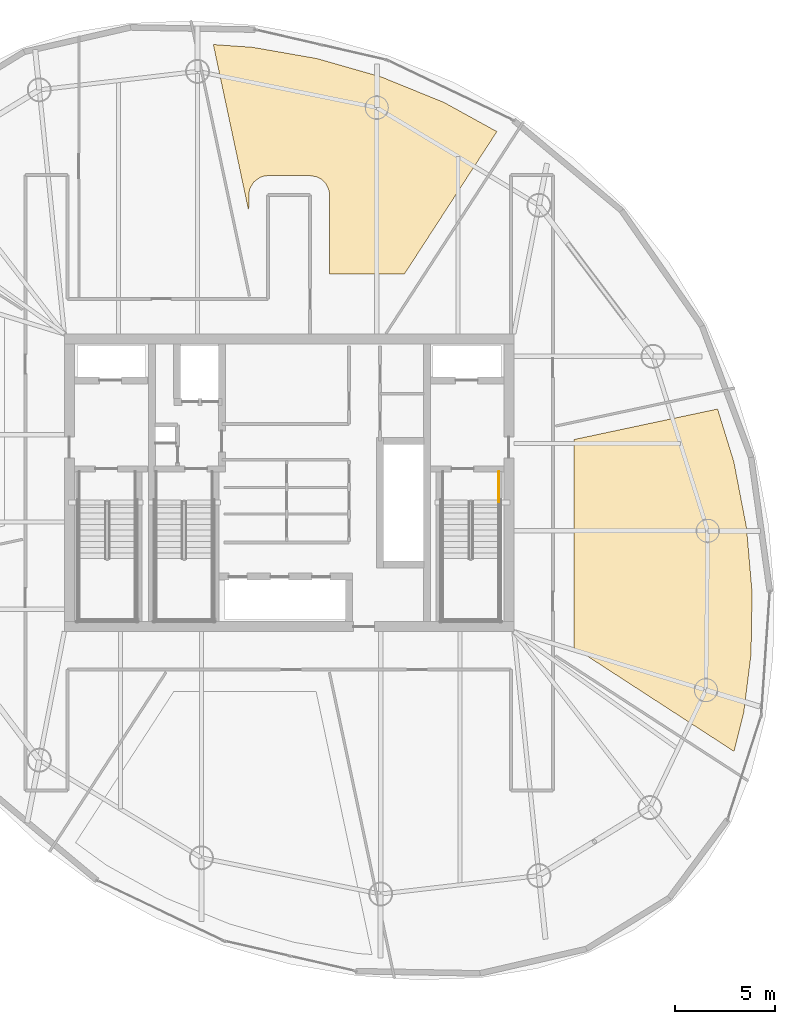
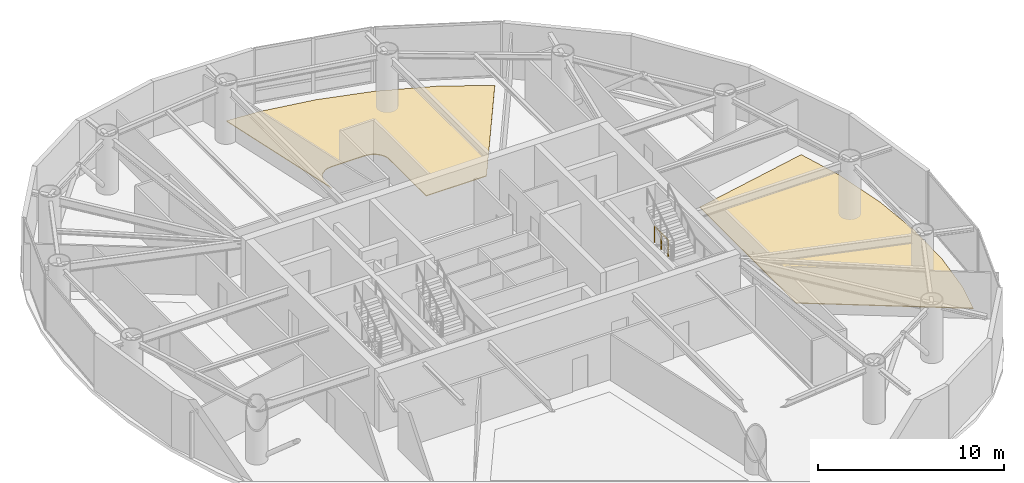
# One storey, part 22 of 22: 2 coverings, 1 railing.
"""IFC4 building model written with IfcOpenShell, lengths in metres."""

from ifc_helpers import new_model, si_unit, direction, frame, origin, origin_2d, place, context, subcontext, project, spatial, polyline, circle, outline, extrude, material, layer, layer_set, type_object, element, save


model = new_model("IFC4")

# Units and contexts
model_context = context("Model", 3, precision=1e-05, world=origin(), true_north=direction((0.0, 1.0)))
body_context = subcontext(model_context, "Body", "Model", "MODEL_VIEW")
ifc_project = project(units=[si_unit("LENGTHUNIT", "METRE"), si_unit("AREAUNIT", "SQUARE_METRE"), si_unit("VOLUMEUNIT", "CUBIC_METRE"), si_unit("PLANEANGLEUNIT", "RADIAN"), si_unit("MASSUNIT", "GRAM", prefix="KILO")], contexts=[model_context])

# Site, building, storey
site_placement = place(None, origin())
site = spatial("IfcSite", under=ifc_project, at=site_placement, CompositionType="ELEMENT")
building_placement = place(site_placement, origin())
building = spatial("IfcBuilding", under=site, at=building_placement, Name="Bramvorn Convention Spire", CompositionType="ELEMENT")
storey_placement = place(building_placement, frame((0.0, 0.0, 221.25)))
storey = spatial("IfcBuildingStorey", under=building, at=storey_placement, Name="L56", CompositionType="ELEMENT", Elevation=221.25)

# Coverings
ifc_material_1 = material(Name="Calcium-Sulphate Raised Access Office Floor", Category="steel")
ifc_layer = layer(ifc_material_1, 0.044921875)
ifc_layer_set = layer_set([ifc_layer], Name="Calcium-Sulphate Raised Access Office Floor - FLR-RAISED-45")
covering_type = type_object("IfcCoveringType", Name="FLR-RAISED-45", PredefinedType="FLOORING", material=ifc_layer_set)
covering_1_placement = place(storey_placement, origin())
element("IfcCovering", 1, at=covering_1_placement, inside=storey, type_object=covering_type, Name="L56 Partner Office Chamber 2 2 raised floor finish", PredefinedType="FLOORING", context=body_context, shape_type="SweptSolid", body=[
    extrude(outline(polyline([(35.98095703125, 40.441650390625), (36.034912109375, 40.72119140625), (36.227294921875, 41.047119140625), (36.530029296875, 41.274169921875), (36.72021484375, 41.34228515625), (36.949951171875, 41.3701171875), (39.050048828125, 41.3701171875), (39.38232421875, 41.311279296875), (39.623046875, 41.1826171875), (39.825439453125, 40.982421875), (39.961181640625, 40.732421875), (40.01025390625, 40.53662109375), (40.02001953125, 36.449951171875), (43.772705078125, 36.449951171875), (48.39990234375, 43.574951171875), (45.757568359375, 45.031494140625), (42.607666015625, 46.31396484375), (39.3857421875, 47.231201171875), (36.1806640625, 47.793212890625), (34.20703125, 47.932861328125), (35.97998046875, 39.591552734375), (35.98095703125, 40.441650390625)])), origin(), (0.0, 0.0, 1.0), 0.044921875),
])
covering_2_placement = place(storey_placement, origin())
element("IfcCovering", 2, at=covering_2_placement, inside=storey, type_object=covering_type, Name="L56 Deposition Meeting Room 2 8 raised floor finish", PredefinedType="FLOORING", context=body_context, shape_type="SweptSolid", body=[
    extrude(outline(polyline([(52.25, 28.159912109375), (52.25, 17.759521484375), (60.26806640625, 12.552490234375), (60.757080078125, 14.50439453125), (61.121337890625, 17.408203125), (61.173095703125, 20.518798828125), (60.892578125, 23.7607421875), (60.259521484375, 27.05029296875), (59.4453125, 29.689208984375), (52.25, 28.159912109375)])), origin(), (0.0, 0.0, 1.0), 0.044921875),
])

# Railing
ifc_material_2 = material(Name="Painted Steel Balustrade & Guardrail", Category="steel")
railing_type = type_object("IfcRailingType", Name="RL-STAIR-GUARD-1100", PredefinedType="GUARDRAIL", material=ifc_material_2)
railing_placement = place(storey_placement, frame((48.5, 26.550048828125, 0.0)))
element("IfcRailing", 3, at=railing_placement, inside=storey, type_object=railing_type, Name="L56 ST2 stair guard 9", PredefinedType="GUARDRAIL", context=body_context, shape_type="SweptSolid", body=[
    extrude(circle(Radius=0.02392578125, at=origin_2d()), frame((0.0, 0.0, 1.076171875), z_axis=(0.0, -1.0, 0.0), x_axis=(1.0, 0.0, 0.0)), (0.0, 0.0, 1.0), 1.5),
    extrude(circle(Radius=0.02099609375, at=origin_2d()), origin(), (0.0, 0.0, 1.0), 1.052001953125),
    extrude(circle(Radius=0.02099609375, at=origin_2d()), frame((0.0, -0.75, 0.0)), (0.0, 0.0, 1.0), 1.052001953125),
    extrude(circle(Radius=0.02099609375, at=origin_2d()), frame((0.0, -1.5, 0.0)), (0.0, 0.0, 1.0), 1.052001953125),
])

save(model, "model.ifc")
